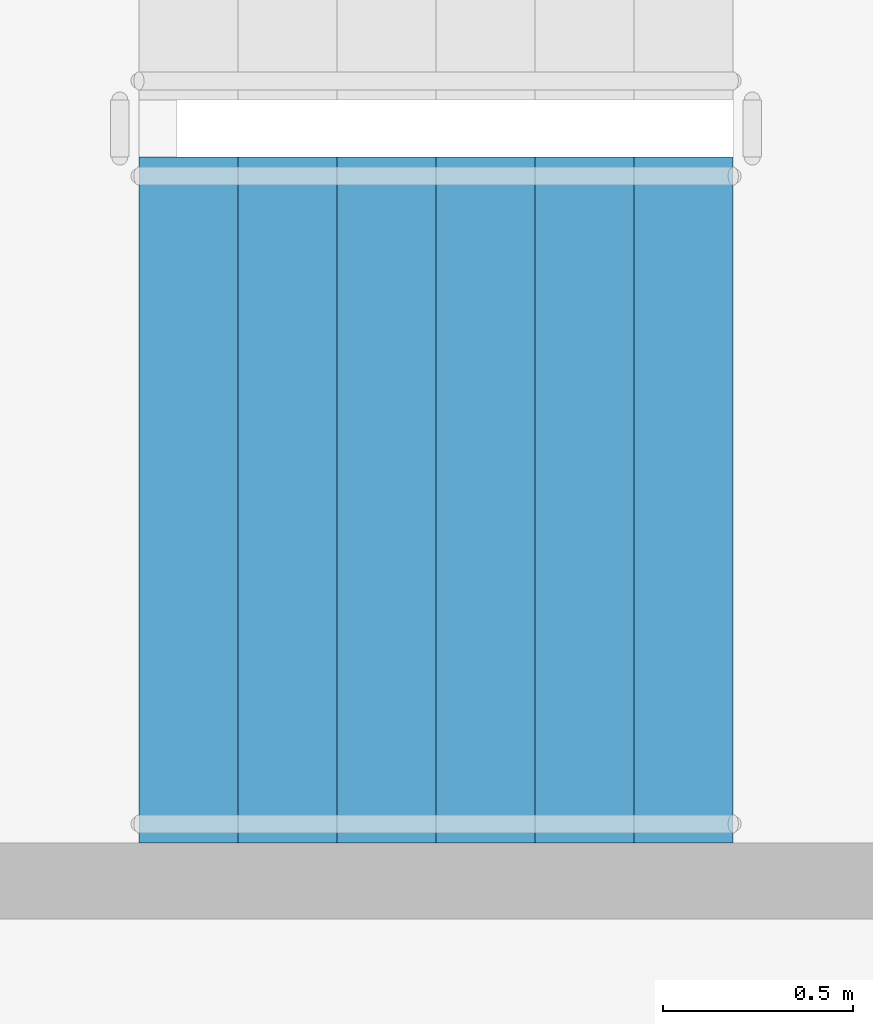
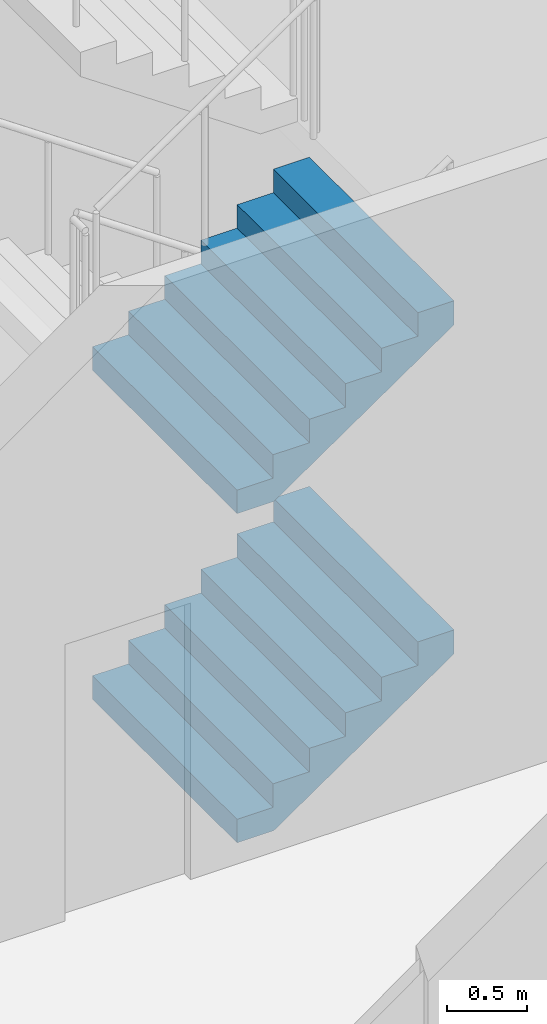
# One storey, part 34 of 59: 2 stair flights, 1 element without a shape of its own.
"""IFC4 building model written with IfcOpenShell, lengths in metres."""

from ifc_helpers import new_model, si_unit, direction, frame, origin, place, context, subcontext, project, spatial, faceted_brep, material, type_object, element, aggregate, save


model = new_model("IFC4")

# Units and contexts
model_context = context("Model", 3, precision=1e-05, world=origin(), true_north=direction((0.0, 1.0)))
body_context = subcontext(model_context, "Body", "Model", "MODEL_VIEW")
ifc_project = project(units=[si_unit("LENGTHUNIT", "METRE"), si_unit("AREAUNIT", "SQUARE_METRE"), si_unit("VOLUMEUNIT", "CUBIC_METRE"), si_unit("PLANEANGLEUNIT", "RADIAN"), si_unit("MASSUNIT", "GRAM", prefix="KILO")], contexts=[model_context])

# Site, building, storey
site_placement = place(None, origin())
site = spatial("IfcSite", under=ifc_project, at=site_placement, CompositionType="ELEMENT")
building_placement = place(site_placement, origin())
building = spatial("IfcBuilding", under=site, at=building_placement, Name="Ipe Terrace Towers", CompositionType="ELEMENT")
storey_placement = place(building_placement, frame((0.0, 0.0, 6.0)))
storey = spatial("IfcBuildingStorey", under=building, at=storey_placement, Name="L01", CompositionType="ELEMENT", Elevation=6.0)

# Stair, stair flights
ifc_material_1 = material(Name="Concrete C30/37", Category="concrete")
stair_type = type_object("IfcStairType", Name="Protected exit stair", PredefinedType="HALF_TURN_STAIR", material=ifc_material_1)
stair_placement = place(storey_placement, origin())
stair = element("IfcStair", 1, at=stair_placement, inside=storey, type_object=stair_type, Name="L01 Podium exit stair PS5", PredefinedType="HALF_TURN_STAIR")
ifc_material_2 = material(Name="Concrete C30/37", Category="concrete")
stair_flight_type = type_object("IfcStairFlightType", Name="Exit stair flight 1800", PredefinedType="STRAIGHT", material=ifc_material_2)
stair_flight_1_placement = place(storey_placement, frame((-3.75, -22.5, 0.0), z_axis=(0.0, 0.0, 1.0), x_axis=(1.0, 0.0, 0.0)))
stair_flight_1 = element("IfcStairFlight", 2, at=stair_flight_1_placement, type_object=stair_flight_type, Name="PS5 flight 1", NumberOfRisers=7, NumberOfTreads=6, PredefinedType="STRAIGHT", RiserHeight=0.178571429, TreadLength=0.26, context=body_context, shape_type="Brep", body=[
    faceted_brep([(0.264892578125, -0.89990234375, 0.0), (1.56005859375, -0.89990234375, 0.8896484375), (1.56005859375, -0.89990234375, 1.071533203125), (1.300048828125, -0.89990234375, 1.071533203125), (1.300048828125, -0.89990234375, 0.892822265625), (1.0400390625, -0.89990234375, 0.892822265625), (1.0400390625, -0.89990234375, 0.71435546875), (0.780029296875, -0.89990234375, 0.71435546875), (0.780029296875, -0.89990234375, 0.53564453125), (0.52001953125, -0.89990234375, 0.53564453125), (0.52001953125, -0.89990234375, 0.357177734375), (0.260009765625, -0.89990234375, 0.357177734375), (0.260009765625, -0.89990234375, 0.178466796875), (0.0, -0.89990234375, 0.178466796875), (0.0, -0.89990234375, 0.0), (0.0, 0.89990234375, 0.0), (0.0, 0.89990234375, 0.178466796875), (0.260009765625, 0.89990234375, 0.178466796875), (0.260009765625, 0.89990234375, 0.357177734375), (0.52001953125, 0.89990234375, 0.357177734375), (0.52001953125, 0.89990234375, 0.53564453125), (0.780029296875, 0.89990234375, 0.53564453125), (0.780029296875, 0.89990234375, 0.71435546875), (1.0400390625, 0.89990234375, 0.71435546875), (1.0400390625, 0.89990234375, 0.892822265625), (1.300048828125, 0.89990234375, 0.892822265625), (1.300048828125, 0.89990234375, 1.071533203125), (1.56005859375, 0.89990234375, 1.071533203125), (1.56005859375, 0.89990234375, 0.8896484375), (0.264892578125, 0.89990234375, 0.0), (0.0, -0.300048828125, 0.178466796875), (0.0, -0.1201171875, 0.178466796875), (0.0, -0.06005859375, 0.178466796875), (0.0, -0.030029296875, 0.178466796875), (0.0, -0.010009765625, 0.178466796875), (0.0, 0.0, 0.178466796875), (0.0, 0.010009765625, 0.178466796875), (0.0, 0.030029296875, 0.178466796875), (0.0, 0.06005859375, 0.178466796875), (0.0, 0.1201171875, 0.178466796875), (0.0, 0.300048828125, 0.178466796875), (0.0, 0.300048828125, 0.0), (0.0, 0.1201171875, 0.0), (0.0, 0.06005859375, 0.0), (0.0, 0.030029296875, 0.0), (0.0, 0.010009765625, 0.0), (0.0, 0.0, 0.0), (0.0, -0.010009765625, 0.0), (0.0, -0.030029296875, 0.0), (0.0, -0.06005859375, 0.0), (0.0, -0.1201171875, 0.0), (0.0, -0.300048828125, 0.0), (0.260009765625, -0.300048828125, 0.178466796875), (0.260009765625, -0.1201171875, 0.178466796875), (0.260009765625, -0.06005859375, 0.178466796875), (0.260009765625, -0.030029296875, 0.178466796875), (0.260009765625, -0.010009765625, 0.178466796875), (0.260009765625, 0.0, 0.178466796875), (0.260009765625, 0.010009765625, 0.178466796875), (0.260009765625, 0.030029296875, 0.178466796875), (0.260009765625, 0.06005859375, 0.178466796875), (0.260009765625, 0.1201171875, 0.178466796875), (0.260009765625, 0.300048828125, 0.178466796875), (0.260009765625, -0.300048828125, 0.357177734375), (0.260009765625, -0.1201171875, 0.357177734375), (0.260009765625, -0.06005859375, 0.357177734375), (0.260009765625, -0.030029296875, 0.357177734375), (0.260009765625, -0.010009765625, 0.357177734375), (0.260009765625, 0.0, 0.357177734375), (0.260009765625, 0.010009765625, 0.357177734375), (0.260009765625, 0.030029296875, 0.357177734375), (0.260009765625, 0.06005859375, 0.357177734375), (0.260009765625, 0.1201171875, 0.357177734375), (0.260009765625, 0.300048828125, 0.357177734375), (0.52001953125, -0.300048828125, 0.357177734375), (0.52001953125, -0.1201171875, 0.357177734375), (0.52001953125, -0.06005859375, 0.357177734375), (0.52001953125, -0.030029296875, 0.357177734375), (0.52001953125, -0.010009765625, 0.357177734375), (0.52001953125, 0.0, 0.357177734375), (0.52001953125, 0.010009765625, 0.357177734375), (0.52001953125, 0.030029296875, 0.357177734375), (0.52001953125, 0.06005859375, 0.357177734375), (0.52001953125, 0.1201171875, 0.357177734375), (0.52001953125, 0.300048828125, 0.357177734375), (0.52001953125, -0.300048828125, 0.53564453125), (0.52001953125, -0.1201171875, 0.53564453125), (0.52001953125, -0.06005859375, 0.53564453125), (0.52001953125, -0.030029296875, 0.53564453125), (0.52001953125, -0.010009765625, 0.53564453125), (0.52001953125, 0.0, 0.53564453125), (0.52001953125, 0.010009765625, 0.53564453125), (0.52001953125, 0.030029296875, 0.53564453125), (0.52001953125, 0.06005859375, 0.53564453125), (0.52001953125, 0.1201171875, 0.53564453125), (0.52001953125, 0.300048828125, 0.53564453125), (0.780029296875, -0.300048828125, 0.53564453125), (0.780029296875, -0.1201171875, 0.53564453125), (0.780029296875, -0.06005859375, 0.53564453125), (0.780029296875, -0.030029296875, 0.53564453125), (0.780029296875, -0.010009765625, 0.53564453125), (0.780029296875, 0.0, 0.53564453125), (0.780029296875, 0.010009765625, 0.53564453125), (0.780029296875, 0.030029296875, 0.53564453125), (0.780029296875, 0.06005859375, 0.53564453125), (0.780029296875, 0.1201171875, 0.53564453125), (0.780029296875, 0.300048828125, 0.53564453125), (0.780029296875, -0.300048828125, 0.71435546875), (0.780029296875, -0.1201171875, 0.71435546875), (0.780029296875, -0.06005859375, 0.71435546875), (0.780029296875, -0.030029296875, 0.71435546875), (0.780029296875, -0.010009765625, 0.71435546875), (0.780029296875, 0.0, 0.71435546875), (0.780029296875, 0.010009765625, 0.71435546875), (0.780029296875, 0.030029296875, 0.71435546875), (0.780029296875, 0.06005859375, 0.71435546875), (0.780029296875, 0.1201171875, 0.71435546875), (0.780029296875, 0.300048828125, 0.71435546875), (1.0400390625, -0.300048828125, 0.71435546875), (1.0400390625, -0.1201171875, 0.71435546875), (1.0400390625, -0.06005859375, 0.71435546875), (1.0400390625, -0.030029296875, 0.71435546875), (1.0400390625, -0.010009765625, 0.71435546875), (1.0400390625, 0.0, 0.71435546875), (1.0400390625, 0.010009765625, 0.71435546875), (1.0400390625, 0.030029296875, 0.71435546875), (1.0400390625, 0.06005859375, 0.71435546875), (1.0400390625, 0.1201171875, 0.71435546875), (1.0400390625, 0.300048828125, 0.71435546875), (1.0400390625, -0.300048828125, 0.892822265625), (1.0400390625, -0.1201171875, 0.892822265625), (1.0400390625, -0.06005859375, 0.892822265625), (1.0400390625, -0.030029296875, 0.892822265625), (1.0400390625, -0.010009765625, 0.892822265625), (1.0400390625, 0.0, 0.892822265625), (1.0400390625, 0.010009765625, 0.892822265625), (1.0400390625, 0.030029296875, 0.892822265625), (1.0400390625, 0.06005859375, 0.892822265625), (1.0400390625, 0.1201171875, 0.892822265625), (1.0400390625, 0.300048828125, 0.892822265625), (1.300048828125, -0.300048828125, 0.892822265625), (1.300048828125, -0.1201171875, 0.892822265625), (1.300048828125, -0.06005859375, 0.892822265625), (1.300048828125, -0.030029296875, 0.892822265625), (1.300048828125, -0.010009765625, 0.892822265625), (1.300048828125, 0.0, 0.892822265625), (1.300048828125, 0.010009765625, 0.892822265625), (1.300048828125, 0.030029296875, 0.892822265625), (1.300048828125, 0.06005859375, 0.892822265625), (1.300048828125, 0.1201171875, 0.892822265625), (1.300048828125, 0.300048828125, 0.892822265625), (1.300048828125, -0.300048828125, 1.071533203125), (1.300048828125, -0.1201171875, 1.071533203125), (1.300048828125, -0.06005859375, 1.071533203125), (1.300048828125, -0.030029296875, 1.071533203125), (1.300048828125, -0.010009765625, 1.071533203125), (1.300048828125, 0.0, 1.071533203125), (1.300048828125, 0.010009765625, 1.071533203125), (1.300048828125, 0.030029296875, 1.071533203125), (1.300048828125, 0.06005859375, 1.071533203125), (1.300048828125, 0.1201171875, 1.071533203125), (1.300048828125, 0.300048828125, 1.071533203125), (1.56005859375, -0.300048828125, 1.071533203125), (1.56005859375, -0.1201171875, 1.071533203125), (1.56005859375, -0.06005859375, 1.071533203125), (1.56005859375, -0.030029296875, 1.071533203125), (1.56005859375, -0.010009765625, 1.071533203125), (1.56005859375, 0.0, 1.071533203125), (1.56005859375, 0.010009765625, 1.071533203125), (1.56005859375, 0.030029296875, 1.071533203125), (1.56005859375, 0.06005859375, 1.071533203125), (1.56005859375, 0.1201171875, 1.071533203125), (1.56005859375, 0.300048828125, 1.071533203125), (1.56005859375, -0.300048828125, 0.8896484375), (1.56005859375, -0.1201171875, 0.8896484375), (1.56005859375, -0.06005859375, 0.8896484375), (1.56005859375, -0.030029296875, 0.8896484375), (1.56005859375, -0.010009765625, 0.8896484375), (1.56005859375, 0.0, 0.8896484375), (1.56005859375, 0.010009765625, 0.8896484375), (1.56005859375, 0.030029296875, 0.8896484375), (1.56005859375, 0.06005859375, 0.8896484375), (1.56005859375, 0.1201171875, 0.8896484375), (1.56005859375, 0.300048828125, 0.8896484375), (0.264892578125, -0.300048828125, 0.0), (0.264892578125, -0.1201171875, 0.0), (0.264892578125, -0.06005859375, 0.0), (0.264892578125, -0.030029296875, 0.0), (0.264892578125, -0.010009765625, 0.0), (0.264892578125, 0.0, 0.0), (0.264892578125, 0.010009765625, 0.0), (0.264892578125, 0.030029296875, 0.0), (0.264892578125, 0.06005859375, 0.0), (0.264892578125, 0.1201171875, 0.0), (0.264892578125, 0.300048828125, 0.0)], [[[0, 1, 2, 3, 4, 5, 6, 7, 8, 9, 10, 11, 12, 13, 14]], [[15, 16, 17, 18, 19, 20, 21, 22, 23, 24, 25, 26, 27, 28, 29]], [[13, 30, 31, 32, 33, 34, 35, 36, 37, 38, 39, 40, 16, 15, 41, 42, 43, 44, 45, 46, 47, 48, 49, 50, 51, 14]], [[12, 52, 53, 54, 55, 56, 57, 58, 59, 60, 61, 62, 17, 16, 40, 39, 38, 37, 36, 35, 34, 33, 32, 31, 30, 13]], [[11, 63, 64, 65, 66, 67, 68, 69, 70, 71, 72, 73, 18, 17, 62, 61, 60, 59, 58, 57, 56, 55, 54, 53, 52, 12]], [[10, 74, 75, 76, 77, 78, 79, 80, 81, 82, 83, 84, 19, 18, 73, 72, 71, 70, 69, 68, 67, 66, 65, 64, 63, 11]], [[9, 85, 86, 87, 88, 89, 90, 91, 92, 93, 94, 95, 20, 19, 84, 83, 82, 81, 80, 79, 78, 77, 76, 75, 74, 10]], [[8, 96, 97, 98, 99, 100, 101, 102, 103, 104, 105, 106, 21, 20, 95, 94, 93, 92, 91, 90, 89, 88, 87, 86, 85, 9]], [[7, 107, 108, 109, 110, 111, 112, 113, 114, 115, 116, 117, 22, 21, 106, 105, 104, 103, 102, 101, 100, 99, 98, 97, 96, 8]], [[6, 118, 119, 120, 121, 122, 123, 124, 125, 126, 127, 128, 23, 22, 117, 116, 115, 114, 113, 112, 111, 110, 109, 108, 107, 7]], [[5, 129, 130, 131, 132, 133, 134, 135, 136, 137, 138, 139, 24, 23, 128, 127, 126, 125, 124, 123, 122, 121, 120, 119, 118, 6]], [[4, 140, 141, 142, 143, 144, 145, 146, 147, 148, 149, 150, 25, 24, 139, 138, 137, 136, 135, 134, 133, 132, 131, 130, 129, 5]], [[3, 151, 152, 153, 154, 155, 156, 157, 158, 159, 160, 161, 26, 25, 150, 149, 148, 147, 146, 145, 144, 143, 142, 141, 140, 4]], [[2, 162, 163, 164, 165, 166, 167, 168, 169, 170, 171, 172, 27, 26, 161, 160, 159, 158, 157, 156, 155, 154, 153, 152, 151, 3]], [[1, 173, 174, 175, 176, 177, 178, 179, 180, 181, 182, 183, 28, 27, 172, 171, 170, 169, 168, 167, 166, 165, 164, 163, 162, 2]], [[0, 184, 185, 186, 187, 188, 189, 190, 191, 192, 193, 194, 29, 28, 183, 182, 181, 180, 179, 178, 177, 176, 175, 174, 173, 1]], [[14, 51, 50, 49, 48, 47, 46, 45, 44, 43, 42, 41, 15, 29, 194, 193, 192, 191, 190, 189, 188, 187, 186, 185, 184, 0]]]),
])
stair_flight_2_placement = place(storey_placement, frame((-3.75, -22.5, 2.5), z_axis=(0.0, 0.0, 1.0), x_axis=(1.0, 0.0, 0.0)))
stair_flight_2 = element("IfcStairFlight", 3, at=stair_flight_2_placement, type_object=stair_flight_type, Name="PS5 flight 3", NumberOfRisers=7, NumberOfTreads=6, PredefinedType="STRAIGHT", RiserHeight=0.178571429, TreadLength=0.26, context=body_context, shape_type="Brep", body=[
    faceted_brep([(0.264892578125, -0.89990234375, 0.0), (1.56005859375, -0.89990234375, 0.8896484375), (1.56005859375, -0.89990234375, 1.071533203125), (1.300048828125, -0.89990234375, 1.071533203125), (1.300048828125, -0.89990234375, 0.892822265625), (1.0400390625, -0.89990234375, 0.892822265625), (1.0400390625, -0.89990234375, 0.71435546875), (0.780029296875, -0.89990234375, 0.71435546875), (0.780029296875, -0.89990234375, 0.53564453125), (0.52001953125, -0.89990234375, 0.53564453125), (0.52001953125, -0.89990234375, 0.357177734375), (0.260009765625, -0.89990234375, 0.357177734375), (0.260009765625, -0.89990234375, 0.178466796875), (0.0, -0.89990234375, 0.178466796875), (0.0, -0.89990234375, 0.0), (0.0, 0.89990234375, 0.0), (0.0, 0.89990234375, 0.178466796875), (0.260009765625, 0.89990234375, 0.178466796875), (0.260009765625, 0.89990234375, 0.357177734375), (0.52001953125, 0.89990234375, 0.357177734375), (0.52001953125, 0.89990234375, 0.53564453125), (0.780029296875, 0.89990234375, 0.53564453125), (0.780029296875, 0.89990234375, 0.71435546875), (1.0400390625, 0.89990234375, 0.71435546875), (1.0400390625, 0.89990234375, 0.892822265625), (1.300048828125, 0.89990234375, 0.892822265625), (1.300048828125, 0.89990234375, 1.071533203125), (1.56005859375, 0.89990234375, 1.071533203125), (1.56005859375, 0.89990234375, 0.8896484375), (0.264892578125, 0.89990234375, 0.0), (0.0, -0.300048828125, 0.178466796875), (0.0, -0.1201171875, 0.178466796875), (0.0, -0.06005859375, 0.178466796875), (0.0, -0.030029296875, 0.178466796875), (0.0, -0.010009765625, 0.178466796875), (0.0, 0.0, 0.178466796875), (0.0, 0.010009765625, 0.178466796875), (0.0, 0.030029296875, 0.178466796875), (0.0, 0.06005859375, 0.178466796875), (0.0, 0.1201171875, 0.178466796875), (0.0, 0.300048828125, 0.178466796875), (0.0, 0.300048828125, 0.0), (0.0, 0.1201171875, 0.0), (0.0, 0.06005859375, 0.0), (0.0, 0.030029296875, 0.0), (0.0, 0.010009765625, 0.0), (0.0, 0.0, 0.0), (0.0, -0.010009765625, 0.0), (0.0, -0.030029296875, 0.0), (0.0, -0.06005859375, 0.0), (0.0, -0.1201171875, 0.0), (0.0, -0.300048828125, 0.0), (0.260009765625, -0.300048828125, 0.178466796875), (0.260009765625, -0.1201171875, 0.178466796875), (0.260009765625, -0.06005859375, 0.178466796875), (0.260009765625, -0.030029296875, 0.178466796875), (0.260009765625, -0.010009765625, 0.178466796875), (0.260009765625, 0.0, 0.178466796875), (0.260009765625, 0.010009765625, 0.178466796875), (0.260009765625, 0.030029296875, 0.178466796875), (0.260009765625, 0.06005859375, 0.178466796875), (0.260009765625, 0.1201171875, 0.178466796875), (0.260009765625, 0.300048828125, 0.178466796875), (0.260009765625, -0.300048828125, 0.357177734375), (0.260009765625, -0.1201171875, 0.357177734375), (0.260009765625, -0.06005859375, 0.357177734375), (0.260009765625, -0.030029296875, 0.357177734375), (0.260009765625, -0.010009765625, 0.357177734375), (0.260009765625, 0.0, 0.357177734375), (0.260009765625, 0.010009765625, 0.357177734375), (0.260009765625, 0.030029296875, 0.357177734375), (0.260009765625, 0.06005859375, 0.357177734375), (0.260009765625, 0.1201171875, 0.357177734375), (0.260009765625, 0.300048828125, 0.357177734375), (0.52001953125, -0.300048828125, 0.357177734375), (0.52001953125, -0.1201171875, 0.357177734375), (0.52001953125, -0.06005859375, 0.357177734375), (0.52001953125, -0.030029296875, 0.357177734375), (0.52001953125, -0.010009765625, 0.357177734375), (0.52001953125, 0.0, 0.357177734375), (0.52001953125, 0.010009765625, 0.357177734375), (0.52001953125, 0.030029296875, 0.357177734375), (0.52001953125, 0.06005859375, 0.357177734375), (0.52001953125, 0.1201171875, 0.357177734375), (0.52001953125, 0.300048828125, 0.357177734375), (0.52001953125, -0.300048828125, 0.53564453125), (0.52001953125, -0.1201171875, 0.53564453125), (0.52001953125, -0.06005859375, 0.53564453125), (0.52001953125, -0.030029296875, 0.53564453125), (0.52001953125, -0.010009765625, 0.53564453125), (0.52001953125, 0.0, 0.53564453125), (0.52001953125, 0.010009765625, 0.53564453125), (0.52001953125, 0.030029296875, 0.53564453125), (0.52001953125, 0.06005859375, 0.53564453125), (0.52001953125, 0.1201171875, 0.53564453125), (0.52001953125, 0.300048828125, 0.53564453125), (0.780029296875, -0.300048828125, 0.53564453125), (0.780029296875, -0.1201171875, 0.53564453125), (0.780029296875, -0.06005859375, 0.53564453125), (0.780029296875, -0.030029296875, 0.53564453125), (0.780029296875, -0.010009765625, 0.53564453125), (0.780029296875, 0.0, 0.53564453125), (0.780029296875, 0.010009765625, 0.53564453125), (0.780029296875, 0.030029296875, 0.53564453125), (0.780029296875, 0.06005859375, 0.53564453125), (0.780029296875, 0.1201171875, 0.53564453125), (0.780029296875, 0.300048828125, 0.53564453125), (0.780029296875, -0.300048828125, 0.71435546875), (0.780029296875, -0.1201171875, 0.71435546875), (0.780029296875, -0.06005859375, 0.71435546875), (0.780029296875, -0.030029296875, 0.71435546875), (0.780029296875, -0.010009765625, 0.71435546875), (0.780029296875, 0.0, 0.71435546875), (0.780029296875, 0.010009765625, 0.71435546875), (0.780029296875, 0.030029296875, 0.71435546875), (0.780029296875, 0.06005859375, 0.71435546875), (0.780029296875, 0.1201171875, 0.71435546875), (0.780029296875, 0.300048828125, 0.71435546875), (1.0400390625, -0.300048828125, 0.71435546875), (1.0400390625, -0.1201171875, 0.71435546875), (1.0400390625, -0.06005859375, 0.71435546875), (1.0400390625, -0.030029296875, 0.71435546875), (1.0400390625, -0.010009765625, 0.71435546875), (1.0400390625, 0.0, 0.71435546875), (1.0400390625, 0.010009765625, 0.71435546875), (1.0400390625, 0.030029296875, 0.71435546875), (1.0400390625, 0.06005859375, 0.71435546875), (1.0400390625, 0.1201171875, 0.71435546875), (1.0400390625, 0.300048828125, 0.71435546875), (1.0400390625, -0.300048828125, 0.892822265625), (1.0400390625, -0.1201171875, 0.892822265625), (1.0400390625, -0.06005859375, 0.892822265625), (1.0400390625, -0.030029296875, 0.892822265625), (1.0400390625, -0.010009765625, 0.892822265625), (1.0400390625, 0.0, 0.892822265625), (1.0400390625, 0.010009765625, 0.892822265625), (1.0400390625, 0.030029296875, 0.892822265625), (1.0400390625, 0.06005859375, 0.892822265625), (1.0400390625, 0.1201171875, 0.892822265625), (1.0400390625, 0.300048828125, 0.892822265625), (1.300048828125, -0.300048828125, 0.892822265625), (1.300048828125, -0.1201171875, 0.892822265625), (1.300048828125, -0.06005859375, 0.892822265625), (1.300048828125, -0.030029296875, 0.892822265625), (1.300048828125, -0.010009765625, 0.892822265625), (1.300048828125, 0.0, 0.892822265625), (1.300048828125, 0.010009765625, 0.892822265625), (1.300048828125, 0.030029296875, 0.892822265625), (1.300048828125, 0.06005859375, 0.892822265625), (1.300048828125, 0.1201171875, 0.892822265625), (1.300048828125, 0.300048828125, 0.892822265625), (1.300048828125, -0.300048828125, 1.071533203125), (1.300048828125, -0.1201171875, 1.071533203125), (1.300048828125, -0.06005859375, 1.071533203125), (1.300048828125, -0.030029296875, 1.071533203125), (1.300048828125, -0.010009765625, 1.071533203125), (1.300048828125, 0.0, 1.071533203125), (1.300048828125, 0.010009765625, 1.071533203125), (1.300048828125, 0.030029296875, 1.071533203125), (1.300048828125, 0.06005859375, 1.071533203125), (1.300048828125, 0.1201171875, 1.071533203125), (1.300048828125, 0.300048828125, 1.071533203125), (1.56005859375, -0.300048828125, 1.071533203125), (1.56005859375, -0.1201171875, 1.071533203125), (1.56005859375, -0.06005859375, 1.071533203125), (1.56005859375, -0.030029296875, 1.071533203125), (1.56005859375, -0.010009765625, 1.071533203125), (1.56005859375, 0.0, 1.071533203125), (1.56005859375, 0.010009765625, 1.071533203125), (1.56005859375, 0.030029296875, 1.071533203125), (1.56005859375, 0.06005859375, 1.071533203125), (1.56005859375, 0.1201171875, 1.071533203125), (1.56005859375, 0.300048828125, 1.071533203125), (1.56005859375, -0.300048828125, 0.8896484375), (1.56005859375, -0.1201171875, 0.8896484375), (1.56005859375, -0.06005859375, 0.8896484375), (1.56005859375, -0.030029296875, 0.8896484375), (1.56005859375, -0.010009765625, 0.8896484375), (1.56005859375, 0.0, 0.8896484375), (1.56005859375, 0.010009765625, 0.8896484375), (1.56005859375, 0.030029296875, 0.8896484375), (1.56005859375, 0.06005859375, 0.8896484375), (1.56005859375, 0.1201171875, 0.8896484375), (1.56005859375, 0.300048828125, 0.8896484375), (0.264892578125, -0.300048828125, 0.0), (0.264892578125, -0.1201171875, 0.0), (0.264892578125, -0.06005859375, 0.0), (0.264892578125, -0.030029296875, 0.0), (0.264892578125, -0.010009765625, 0.0), (0.264892578125, 0.0, 0.0), (0.264892578125, 0.010009765625, 0.0), (0.264892578125, 0.030029296875, 0.0), (0.264892578125, 0.06005859375, 0.0), (0.264892578125, 0.1201171875, 0.0), (0.264892578125, 0.300048828125, 0.0)], [[[0, 1, 2, 3, 4, 5, 6, 7, 8, 9, 10, 11, 12, 13, 14]], [[15, 16, 17, 18, 19, 20, 21, 22, 23, 24, 25, 26, 27, 28, 29]], [[13, 30, 31, 32, 33, 34, 35, 36, 37, 38, 39, 40, 16, 15, 41, 42, 43, 44, 45, 46, 47, 48, 49, 50, 51, 14]], [[12, 52, 53, 54, 55, 56, 57, 58, 59, 60, 61, 62, 17, 16, 40, 39, 38, 37, 36, 35, 34, 33, 32, 31, 30, 13]], [[11, 63, 64, 65, 66, 67, 68, 69, 70, 71, 72, 73, 18, 17, 62, 61, 60, 59, 58, 57, 56, 55, 54, 53, 52, 12]], [[10, 74, 75, 76, 77, 78, 79, 80, 81, 82, 83, 84, 19, 18, 73, 72, 71, 70, 69, 68, 67, 66, 65, 64, 63, 11]], [[9, 85, 86, 87, 88, 89, 90, 91, 92, 93, 94, 95, 20, 19, 84, 83, 82, 81, 80, 79, 78, 77, 76, 75, 74, 10]], [[8, 96, 97, 98, 99, 100, 101, 102, 103, 104, 105, 106, 21, 20, 95, 94, 93, 92, 91, 90, 89, 88, 87, 86, 85, 9]], [[7, 107, 108, 109, 110, 111, 112, 113, 114, 115, 116, 117, 22, 21, 106, 105, 104, 103, 102, 101, 100, 99, 98, 97, 96, 8]], [[6, 118, 119, 120, 121, 122, 123, 124, 125, 126, 127, 128, 23, 22, 117, 116, 115, 114, 113, 112, 111, 110, 109, 108, 107, 7]], [[5, 129, 130, 131, 132, 133, 134, 135, 136, 137, 138, 139, 24, 23, 128, 127, 126, 125, 124, 123, 122, 121, 120, 119, 118, 6]], [[4, 140, 141, 142, 143, 144, 145, 146, 147, 148, 149, 150, 25, 24, 139, 138, 137, 136, 135, 134, 133, 132, 131, 130, 129, 5]], [[3, 151, 152, 153, 154, 155, 156, 157, 158, 159, 160, 161, 26, 25, 150, 149, 148, 147, 146, 145, 144, 143, 142, 141, 140, 4]], [[2, 162, 163, 164, 165, 166, 167, 168, 169, 170, 171, 172, 27, 26, 161, 160, 159, 158, 157, 156, 155, 154, 153, 152, 151, 3]], [[1, 173, 174, 175, 176, 177, 178, 179, 180, 181, 182, 183, 28, 27, 172, 171, 170, 169, 168, 167, 166, 165, 164, 163, 162, 2]], [[0, 184, 185, 186, 187, 188, 189, 190, 191, 192, 193, 194, 29, 28, 183, 182, 181, 180, 179, 178, 177, 176, 175, 174, 173, 1]], [[14, 51, 50, 49, 48, 47, 46, 45, 44, 43, 42, 41, 15, 29, 194, 193, 192, 191, 190, 189, 188, 187, 186, 185, 184, 0]]]),
])
aggregate(stair, [stair_flight_1, stair_flight_2])

save(model, "model.ifc")
